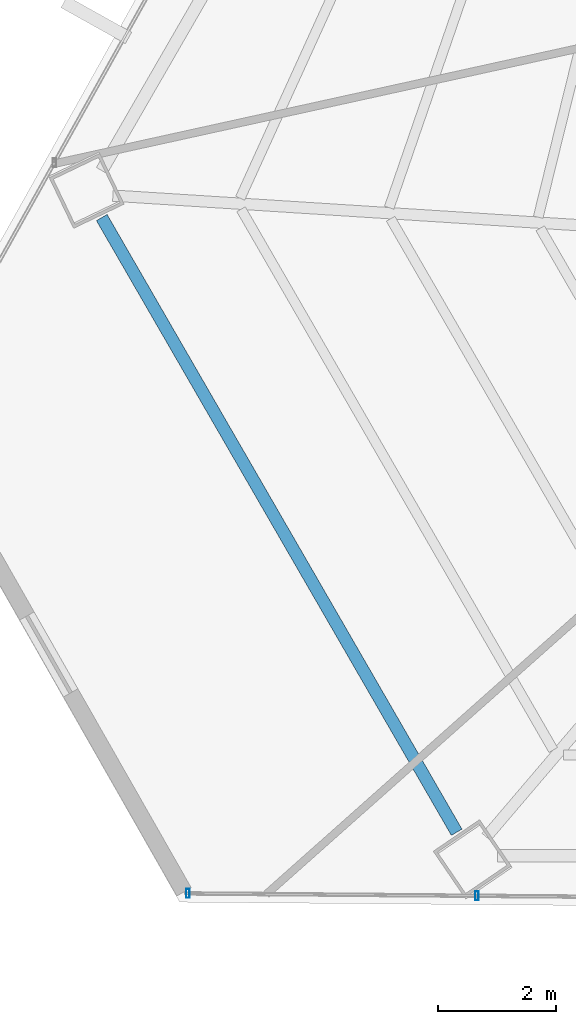
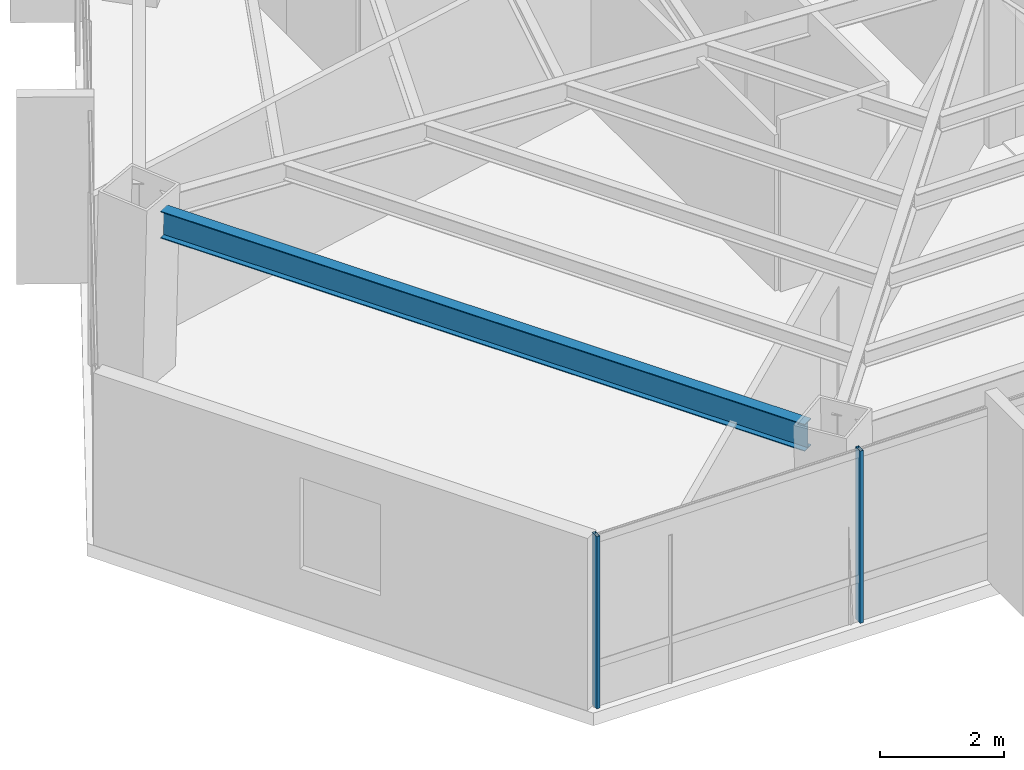
# One storey, part 2 of 39: 2 members, 1 beam, 1 element without a shape of its own.
"""IFC4 building model written with IfcOpenShell, lengths in metres."""

import ifcopenshell
import ifcopenshell.guid

model = None  # the IFC model being written
_history = None  # IfcOwnerHistory: only IFC2X3 demands one
_inside = {}  # id of a spatial element -> (the spatial element, [elements in it])
_under = {}  # id of a project, library or spatial element -> (it, [spatial elements below it])
_declared = {}  # id of a project -> (the project, [libraries it declares])
_typed = {}  # id of a type object -> (the type object, [elements of that type])
_made_of = {}  # id of a material, layer set ... -> (it, [elements and type objects made of it])


def new_model(schema):
    """Start an empty IFC model of exactly this schema.

    Asked for "IFC4X3", IfcOpenShell would pick the latest addendum, in which some entities
    have other attributes; the version numbers below select the first issue.
    IFC2X3 requires an IfcOwnerHistory on every rooted entity: one is made here for all.
    """
    global model, _history
    if schema == "IFC4X3":
        model = ifcopenshell.file(schema_version=(4, 3, 0, 0))
    else:
        model = ifcopenshell.file(schema=schema)
    _inside.clear()
    _under.clear()
    _declared.clear()
    _typed.clear()
    _made_of.clear()
    _history = None
    if model.schema == "IFC2X3":
        org = make("IfcOrganization", Name="unknown")
        user = make(
            "IfcPersonAndOrganization",
            ThePerson=make("IfcPerson", FamilyName="unknown"),
            TheOrganization=org,
        )
        app = make(
            "IfcApplication",
            ApplicationDeveloper=org,
            Version="unknown",
            ApplicationFullName="unknown",
            ApplicationIdentifier="unknown",
        )
        _history = make(
            "IfcOwnerHistory",
            OwningUser=user,
            OwningApplication=app,
            ChangeAction="ADDED",
            CreationDate=0,
        )
    return model


def make(cls, **values):
    """One entity of the class cls with the attributes given. An attribute that is None is left unset."""
    return model.create_entity(
        cls, **{name: value for name, value in values.items() if value is not None}
    )


def rooted(cls, **values):
    """An entity with a GlobalId (a new one), such as an element, a storey or a relation."""
    return make(cls, GlobalId=ifcopenshell.guid.new(), OwnerHistory=_history, **values)


def si_unit(unit_type, name, prefix=None):
    """IfcSIUnit, for example si_unit("LENGTHUNIT", "METRE", prefix="MILLI")."""
    return make("IfcSIUnit", UnitType=unit_type, Prefix=prefix, Name=name)


def assignment(units):
    """IfcUnitAssignment: the units of a project."""
    return None if units is None else make("IfcUnitAssignment", Units=units)


def point(xyz):
    """IfcCartesianPoint."""
    return None if xyz is None else make("IfcCartesianPoint", Coordinates=xyz)


def direction(xyz):
    """IfcDirection."""
    return None if xyz is None else make("IfcDirection", DirectionRatios=xyz)


def frame(location, z_axis=None, x_axis=None):
    """IfcAxis2Placement3D, a coordinate frame: its origin and axes. An axis left out is left unset."""
    return make(
        "IfcAxis2Placement3D",
        Location=point(location),
        Axis=direction(z_axis),
        RefDirection=direction(x_axis),
    )


def frame_2d(location, x_axis=None):
    """IfcAxis2Placement2D, a coordinate frame in the plane: its origin and x axis."""
    return make(
        "IfcAxis2Placement2D", Location=point(location), RefDirection=direction(x_axis)
    )


def origin():
    """The frame at (0, 0, 0) with its axes left unset."""
    return frame((0.0, 0.0, 0.0))


def origin_2d():
    """The frame at (0, 0) in the plane with its x axis left unset."""
    return frame_2d((0.0, 0.0))


def place(relative_to, where):
    """IfcLocalPlacement: puts the frame where relative to a parent placement (None: the world)."""
    return make(
        "IfcLocalPlacement", PlacementRelTo=relative_to, RelativePlacement=where
    )


def context(
    kind, dimensions, precision=None, world=None, true_north=None, identifier=None
):
    """IfcGeometricRepresentationContext, for example the 3D "Model" context."""
    return make(
        "IfcGeometricRepresentationContext",
        ContextIdentifier=identifier,
        ContextType=kind,
        CoordinateSpaceDimension=dimensions,
        Precision=precision,
        WorldCoordinateSystem=world,
        TrueNorth=true_north,
    )


def subcontext(parent, identifier, kind, view, scale=None):
    """IfcGeometricRepresentationSubContext, for example "Body" below "Model"."""
    return make(
        "IfcGeometricRepresentationSubContext",
        ContextIdentifier=identifier,
        ContextType=kind,
        ParentContext=parent,
        TargetScale=scale,
        TargetView=view,
    )


def project(units=None, contexts=None):
    """IfcProject with its units and contexts."""
    return rooted(
        "IfcProject",
        Name="project",
        RepresentationContexts=contexts,
        UnitsInContext=assignment(units),
    )


def spatial(cls, under=None, at=None, **own):
    """A site, building, storey or space (cls), placed at a placement, below another one or the project."""
    s = rooted(cls, ObjectPlacement=at, **own)
    if under is not None:
        _under.setdefault(under.id(), (under, []))[1].append(s)
    return s


def profile(cls, at=None, kind="AREA", **sizes):
    """A parametric profile (cls). Its sizes go by their IFC names, for example OverallWidth=200.0."""
    return make(cls, ProfileType=kind, Position=at, **sizes)


def hollow_rectangle(**sizes):
    """IfcRectangleHollowProfileDef."""
    return profile("IfcRectangleHollowProfileDef", **sizes)


def i_section(**sizes):
    """IfcIShapeProfileDef."""
    return profile("IfcIShapeProfileDef", **sizes)


def extrude(swept, where, along, depth):
    """IfcExtrudedAreaSolid: the profile swept, set in the frame where, extruded along a direction by depth."""
    return make(
        "IfcExtrudedAreaSolid",
        SweptArea=swept,
        Position=where,
        ExtrudedDirection=direction(along),
        Depth=depth,
    )


def shape(context_of_items, identifier, shape_type, items):
    """IfcShapeRepresentation: the items that make up one representation, for example the "Body"."""
    return make(
        "IfcShapeRepresentation",
        ContextOfItems=context_of_items,
        RepresentationIdentifier=identifier,
        RepresentationType=shape_type,
        Items=items,
    )


def source(mapping_origin, context_of_items, identifier, shape_type, items):
    """IfcRepresentationMap: a shape defined once, which mapped items show again and again."""
    return make(
        "IfcRepresentationMap",
        MappingOrigin=mapping_origin,
        MappedRepresentation=shape(context_of_items, identifier, shape_type, items),
    )


def transform(
    local_origin,
    x_axis=None,
    y_axis=None,
    z_axis=None,
    scale=None,
    scale2=None,
    scale3=None,
    uniform=True,
):
    """IfcCartesianTransformationOperator3D, or its non-uniform kind. x_axis, y_axis, z_axis: its Axis1, 2, 3."""
    if uniform:
        return make(
            "IfcCartesianTransformationOperator3D",
            Axis1=direction(x_axis),
            Axis2=direction(y_axis),
            LocalOrigin=point(local_origin),
            Scale=scale,
            Axis3=direction(z_axis),
        )
    return make(
        "IfcCartesianTransformationOperator3DnonUniform",
        Axis1=direction(x_axis),
        Axis2=direction(y_axis),
        LocalOrigin=point(local_origin),
        Scale=scale,
        Axis3=direction(z_axis),
        Scale2=scale2,
        Scale3=scale3,
    )


def mapped(mapping_source, mapping_target):
    """IfcMappedItem: shows the shape of a source again, moved by a transform."""
    return make(
        "IfcMappedItem", MappingSource=mapping_source, MappingTarget=mapping_target
    )


def material(Name=None, Category=None):
    """IfcMaterial."""
    return make("IfcMaterial", Name=Name, Category=Category)


def material_profile(
    of_material, cross_section, Name=None, Category=None, Priority=None
):
    """IfcMaterialProfile: a cross section and its material."""
    return make(
        "IfcMaterialProfile",
        Name=Name,
        Material=of_material,
        Profile=cross_section,
        Priority=Priority,
        Category=Category,
    )


def profile_set(profiles, Name=None, composite=None):
    """IfcMaterialProfileSet."""
    return make(
        "IfcMaterialProfileSet",
        Name=Name,
        MaterialProfiles=profiles,
        CompositeProfile=composite,
    )


def made_of(thing, what):
    """Note that an element or type object is made of a material, layer set ...; save() writes the relation."""
    if what is not None:
        _made_of.setdefault(what.id(), (what, []))[1].append(thing)
    return thing


def type_object(cls, material=None, **own):
    """A type object (cls), such as IfcWallType, which elements share."""
    return made_of(rooted(cls, **own), material)


def type_shapes(of_type, sources):
    """Give a type object the sources (RepresentationMaps) that its elements show as mapped items."""
    of_type.RepresentationMaps = sources


def element(
    cls,
    number,
    at=None,
    inside=None,
    cuts=None,
    type_object=None,
    material=None,
    context=None,
    identifier="Body",
    shape_type=None,
    held_by="IfcProductDefinitionShape",
    body=None,
    shapes=None,
    **own,
):
    """One element of the class cls, such as IfcWall. Its Tag is "e" and its number.

    at: its placement. inside: the storey or other place that contains it. cuts: it is an
    opening in that element (IfcRelVoidsElement). A single representation is given by context,
    identifier, shape_type and body (its items); several are given by shapes. held_by: the class
    of the entity that holds the representations. save() writes the other relations.
    """
    e = rooted(cls, Tag="e%d" % number, ObjectPlacement=at, **own)
    if body is not None:
        shapes = [shape(context, identifier, shape_type, body)]
    if shapes is not None:
        e.Representation = make(held_by, Representations=shapes)
    if inside is not None:
        _inside.setdefault(inside.id(), (inside, []))[1].append(e)
    if cuts is not None:
        rooted(
            "IfcRelVoidsElement", RelatingBuildingElement=cuts, RelatedOpeningElement=e
        )
    if type_object is not None:
        _typed.setdefault(type_object.id(), (type_object, []))[1].append(e)
    return made_of(e, material)


def aggregate(whole, parts):
    """IfcRelAggregates: a whole, such as a stair, and the parts it consists of."""
    return rooted("IfcRelAggregates", RelatingObject=whole, RelatedObjects=parts)


def save(model, path):
    """Write the relations noted so far, then the file.

    IfcRelAggregates (storeys below a building ...), IfcRelContainedInSpatialStructure (elements
    in a storey), IfcRelDefinesByType, IfcRelAssociatesMaterial and IfcRelDeclares: one each for
    every whole, place, type object, material and project.
    """
    for whole, parts in _under.values():
        aggregate(whole, parts)
    for where, things in _inside.values():
        rooted(
            "IfcRelContainedInSpatialStructure",
            RelatedElements=things,
            RelatingStructure=where,
        )
    for kind, things in _typed.values():
        rooted("IfcRelDefinesByType", RelatedObjects=things, RelatingType=kind)
    for what, things in _made_of.values():
        rooted("IfcRelAssociatesMaterial", RelatedObjects=things, RelatingMaterial=what)
    for by, libraries in _declared.values():
        rooted("IfcRelDeclares", RelatingContext=by, RelatedDefinitions=libraries)
    model.write(path)


model = new_model("IFC4")

# Units and contexts
model_context = context("Model", 3, precision=1e-05, world=origin(), true_north=direction((0.0, 1.0)))
body_context = subcontext(model_context, "Body", "Model", "MODEL_VIEW")
ifc_project = project(units=[si_unit("LENGTHUNIT", "METRE"), si_unit("AREAUNIT", "SQUARE_METRE"), si_unit("VOLUMEUNIT", "CUBIC_METRE"), si_unit("PLANEANGLEUNIT", "RADIAN"), si_unit("MASSUNIT", "GRAM", prefix="KILO")], contexts=[model_context])

# Site, building, storey
site_placement = place(None, origin())
site = spatial("IfcSite", under=ifc_project, at=site_placement, CompositionType="ELEMENT")
building_placement = place(site_placement, origin())
building = spatial("IfcBuilding", under=site, at=building_placement, Name="Caelisora Broadcast Tower", CompositionType="ELEMENT")
storey_placement = place(building_placement, frame((0.0, 0.0, 142.75)))
storey = spatial("IfcBuildingStorey", under=building, at=storey_placement, Name="L37", CompositionType="ELEMENT", Elevation=142.75)

# Beam
ifc_material_1 = material(Name="Steel Grade 350 (AS/NZS 3679.1)", Category="steel")
ifc_material_profile_1 = material_profile(ifc_material_1, i_section(OverallWidth=0.208984375, OverallDepth=0.532958984375, WebThickness=0.01025390625, FlangeThickness=0.015625, at=origin_2d()), Name="Steel Grade 350 (AS/NZS 3679.1)")
ifc_profile_set_1 = profile_set([ifc_material_profile_1], Name="Steel Grade 350 (AS/NZS 3679.1)")
beam_type = type_object("IfcBeamType", Name="PG05", PredefinedType="BEAM", material=ifc_profile_set_1)
shared_shape_1 = source(origin(), body_context, "Body", "SweptSolid", [
    extrude(i_section(OverallWidth=0.208984375, OverallDepth=0.532958984375, WebThickness=0.01025390625, FlangeThickness=0.015625, at=origin_2d()), origin(), (0.0, 0.0, 1.0), 12.027099609375),
])
type_shapes(beam_type, [shared_shape_1])
beam_placement = place(storey_placement, frame((15.52392578125, 17.96728515625, 3.133544921875), z_axis=(0.500007695356, -0.866020960823, 0.0), x_axis=(0.866020960823, 0.500007695356, 0.0)))
element("IfcBeam", 1, at=beam_placement, inside=storey, type_object=beam_type, Name="L37 beam PG05", PredefinedType="BEAM", context=body_context, shape_type="MappedRepresentation", body=[
    mapped(shared_shape_1, transform((0.0, 0.0, 0.0), scale=1.0)),
])

# Curtain wall, members
ifc_material_2 = material(Name="Unitised Aluminium and Low-E Glass Curtain Wall", Category="glass")
curtain_wall_type = type_object("IfcCurtainWallType", Name="CW-Z3", PredefinedType="NOTDEFINED", material=ifc_material_2)
curtain_wall_placement = place(storey_placement, origin())
curtain_wall = element("IfcCurtainWall", 2, at=curtain_wall_placement, inside=storey, type_object=curtain_wall_type, Name="L37 curtain wall CW-Z3", PredefinedType="NOTDEFINED")
ifc_material_3 = material(Name="Aluminium 6063-T6 Anodised Terracotta Bronze", Category="aluminium")
ifc_material_profile_2 = material_profile(ifc_material_3, hollow_rectangle(XDim=0.06005859375, YDim=0.14990234375, WallThickness=0.00341796875, at=origin_2d()), Name="Aluminium 6063-T6 Anodised Terracotta Bronze")
ifc_profile_set_2 = profile_set([ifc_material_profile_2], Name="Aluminium 6063-T6 Anodised Terracotta Bronze")
member_type = type_object("IfcMemberType", Name="CWM-03", PredefinedType="MULLION", material=ifc_profile_set_2)
shared_shape_2 = source(origin(), body_context, "Body", "SweptSolid", [
    extrude(hollow_rectangle(XDim=0.06005859375, YDim=0.14990234375, WallThickness=0.00341796875, at=origin_2d()), origin(), (0.0, 0.0, 1.0), 3.39990234375),
])
type_shapes(member_type, [shared_shape_2])
member_1_placement = place(storey_placement, frame((21.878662109375, 6.4755859375, 0.0), z_axis=(0.0, 0.0, 1.0), x_axis=(1.0, 0.0, 0.0)))
member_1 = element("IfcMember", 3, at=member_1_placement, type_object=member_type, Name="L37-CW-B07 mullion #2", PredefinedType="MULLION", context=body_context, shape_type="MappedRepresentation", body=[
    mapped(shared_shape_2, transform((0.0, 0.0, 0.0), scale=1.0)),
])
member_2_placement = place(storey_placement, frame((16.98291015625, 6.515625, 0.0), z_axis=(0.0, 0.0, 1.0), x_axis=(1.0, 0.0, 0.0)))
member_2 = element("IfcMember", 4, at=member_2_placement, type_object=member_type, Name="L37-CW-B07 mullion #3", PredefinedType="MULLION", context=body_context, shape_type="MappedRepresentation", body=[
    mapped(shared_shape_2, transform((0.0, 0.0, 0.0), scale=1.0)),
])
aggregate(curtain_wall, [member_1, member_2])

save(model, "model.ifc")
